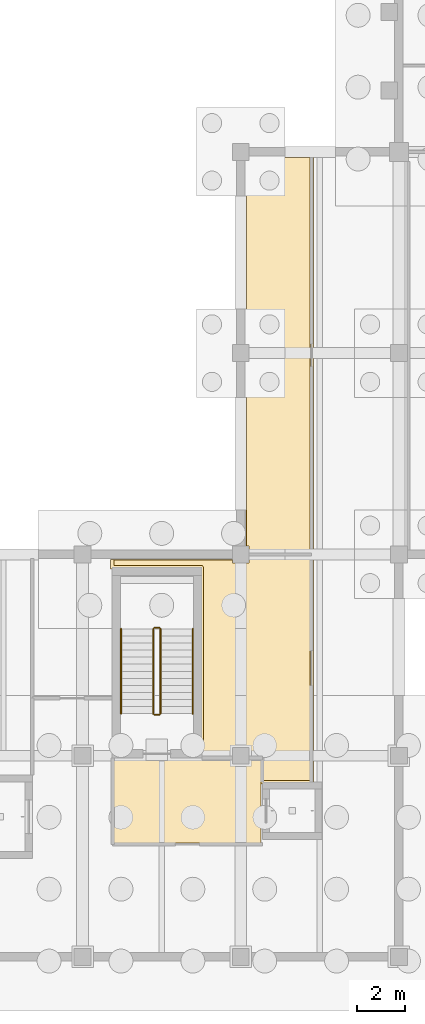
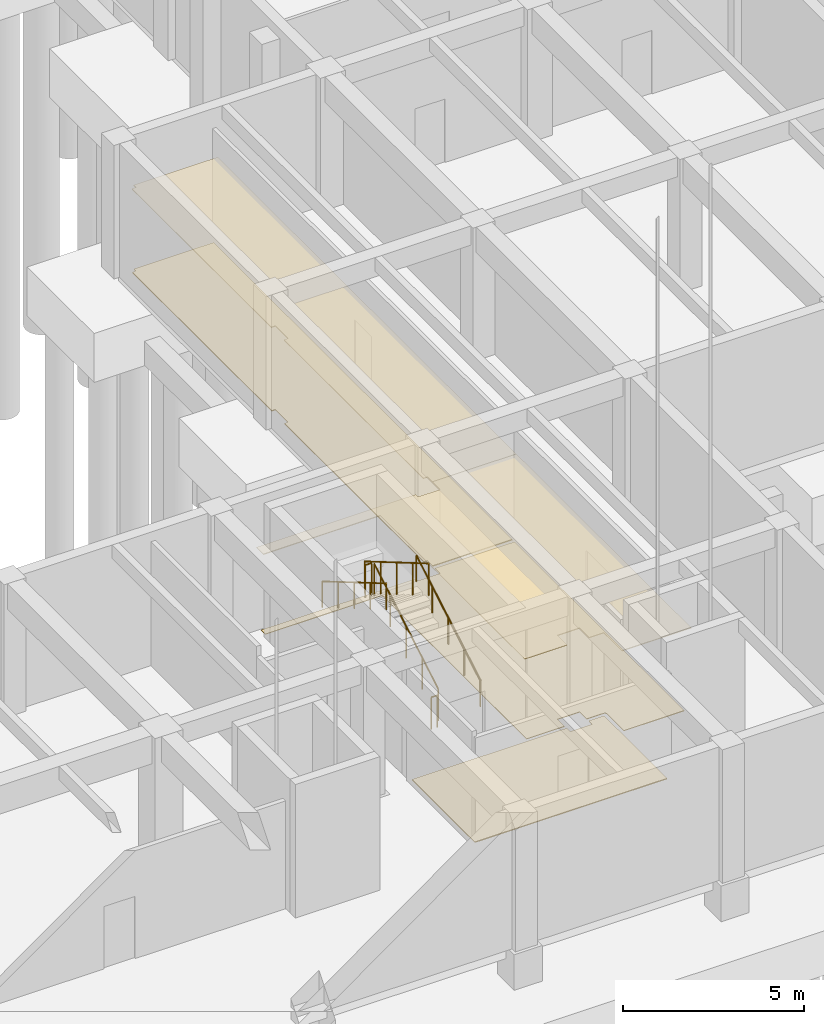
# One storey, part 43 of 44: 6 railings, 5 coverings.
"""IFC4 building model written with IfcOpenShell, lengths in metres."""

from ifc_helpers import new_model, si_unit, direction, frame, origin, origin_2d, place, context, subcontext, project, spatial, polyline, circle, outline, extrude, material, layer, layer_set, type_object, element, save


model = new_model("IFC4")

# Units and contexts
model_context = context("Model", 3, precision=1e-05, world=origin(), true_north=direction((0.0, 1.0)))
body_context = subcontext(model_context, "Body", "Model", "MODEL_VIEW")
ifc_project = project(units=[si_unit("LENGTHUNIT", "METRE"), si_unit("AREAUNIT", "SQUARE_METRE"), si_unit("VOLUMEUNIT", "CUBIC_METRE"), si_unit("PLANEANGLEUNIT", "RADIAN"), si_unit("MASSUNIT", "GRAM", prefix="KILO")], contexts=[model_context])

# Site, building, storey
site_placement = place(None, origin())
site = spatial("IfcSite", under=ifc_project, at=site_placement, CompositionType="ELEMENT")
building_placement = place(site_placement, origin())
building = spatial("IfcBuilding", under=site, at=building_placement, Name="Kolvaren Faculty of Natural Sciences", CompositionType="ELEMENT")
storey_placement = place(building_placement, frame((0.0, 0.0, -4.5)))
storey = spatial("IfcBuildingStorey", under=building, at=storey_placement, Name="B01", CompositionType="ELEMENT", Elevation=-4.5)

# Coverings
ifc_material_1 = material(Name="Perforated mineral-fibre acoustic suspended ceiling tile")
ifc_layer_1 = layer(ifc_material_1, 0.02490234375)
ifc_layer_set_1 = layer_set([ifc_layer_1], Name="Perforated mineral-fibre acoustic suspended ceiling tile")
covering_type_1 = type_object("IfcCoveringType", Name="AcousticSuspendedCeiling_25", PredefinedType="CEILING", material=ifc_layer_set_1)
covering_1_placement = place(storey_placement, frame((0.0, 0.0, 2.824951171875)))
element("IfcCovering", 1, at=covering_1_placement, inside=storey, type_object=covering_type_1, Name="B01 Technical Workshop and Archive Store acoustic ceiling", PredefinedType="CEILING", context=body_context, shape_type="SweptSolid", body=[
    extrude(outline(polyline([(132.550048828125, 42.1201171875), (132.550048828125, 42.550048828125), (132.419921875, 42.550048828125), (132.419921875, 50.25), (132.550048828125, 50.25), (132.550048828125, 50.949951171875), (132.419921875, 50.949951171875), (132.419921875, 58.64990234375), (132.550048828125, 58.64990234375), (132.550048828125, 58.780029296875), (135.22998046875, 58.780029296875), (135.22998046875, 42.1201171875), (132.550048828125, 42.1201171875)])), origin(), (0.0, 0.0, 1.0), 0.025146484375),
])
covering_2_placement = place(storey_placement, frame((0.0, 0.0, 2.824951171875)))
element("IfcCovering", 2, at=covering_2_placement, inside=storey, type_object=covering_type_1, Name="B01 B01 Interdisciplinary Research Laboratory 27 acoustic ceiling", PredefinedType="CEILING", context=body_context, shape_type="SweptSolid", body=[
    extrude(outline(polyline([(135.22998046875, 32.6201171875), (133.02001953125, 32.6201171875), (133.02001953125, 33.6201171875), (132.550048828125, 33.6201171875), (132.550048828125, 34.14990234375), (131.85009765625, 34.14990234375), (131.85009765625, 33.6201171875), (130.4951171875, 33.6201171875), (130.4951171875, 41.594970703125), (126.77001953125, 41.594970703125), (126.77001953125, 41.97998046875), (131.85009765625, 41.97998046875), (131.85009765625, 41.85009765625), (132.550048828125, 41.85009765625), (132.550048828125, 42.280029296875), (135.22998046875, 42.280029296875), (135.22998046875, 32.6201171875)])), origin(), (0.0, 0.0, 1.0), 0.025146484375),
])
ifc_material_2 = material(Name="Seamless chemical-resistant laboratory epoxy resin flooring")
ifc_layer_2 = layer(ifc_material_2, 0.02001953125)
ifc_layer_set_2 = layer_set([ifc_layer_2], Name="Seamless chemical-resistant laboratory epoxy resin flooring")
covering_type_2 = type_object("IfcCoveringType", Name="LabEpoxyFloorFinish_20", PredefinedType="FLOORING", material=ifc_layer_set_2)
covering_3_placement = place(storey_placement, origin())
element("IfcCovering", 3, at=covering_3_placement, inside=storey, type_object=covering_type_2, Name="B01 B01 Interdisciplinary Research Laboratory 27 floor finish", PredefinedType="FLOORING", context=body_context, shape_type="SweptSolid", body=[
    extrude(outline(polyline([(135.090087890625, 42.139892578125), (135.090087890625, 32.760009765625), (133.159912109375, 32.760009765625), (133.159912109375, 33.699951171875), (133.15966796875, 33.705810546875), (133.15869140625, 33.711669921875), (133.157470703125, 33.71728515625), (133.155517578125, 33.722900390625), (133.15283203125, 33.728271484375), (133.14990234375, 33.7333984375), (133.146484375, 33.738037109375), (133.142333984375, 33.742431640625), (133.13818359375, 33.746337890625), (133.13330078125, 33.75), (133.12841796875, 33.7529296875), (133.123046875, 33.75537109375), (133.117431640625, 33.75732421875), (133.11181640625, 33.7587890625), (133.10595703125, 33.759765625), (133.10009765625, 33.760009765625), (132.550048828125, 33.760009765625), (132.550048828125, 34.14990234375), (131.85009765625, 34.14990234375), (131.85009765625, 33.760009765625), (130.635009765625, 33.760009765625), (130.635009765625, 41.675048828125), (130.634765625, 41.680908203125), (130.6337890625, 41.686767578125), (130.63232421875, 41.6923828125), (130.63037109375, 41.697998046875), (130.6279296875, 41.703369140625), (130.625, 41.708251953125), (130.621337890625, 41.713134765625), (130.617431640625, 41.71728515625), (130.613037109375, 41.721435546875), (130.6083984375, 41.724853515625), (130.603271484375, 41.727783203125), (130.597900390625, 41.73046875), (130.59228515625, 41.732421875), (130.586669921875, 41.73388671875), (130.580810546875, 41.734619140625), (130.574951171875, 41.735107421875), (126.909912109375, 41.735107421875), (126.909912109375, 41.965087890625), (131.85009765625, 41.965087890625), (131.85009765625, 41.85009765625), (132.550048828125, 41.85009765625), (132.550048828125, 42.139892578125), (135.090087890625, 42.139892578125)])), origin(), (0.0, 0.0, 1.0), 0.02001953125),
])

# Railings
ifc_material_3 = material(Name="Structural steel EN 10210-1 S355J2H", Category="steel")
ifc_layer_3 = layer(ifc_material_3, 0.048095703125)
ifc_layer_set_3 = layer_set([ifc_layer_3], Name="Structural steel EN 10210-1 S355J2H")
railing_type_1 = type_object("IfcRailingType", Name="StairPitchHandrail_920", PredefinedType="HANDRAIL", material=ifc_layer_set_3)
railing_1_placement = place(storey_placement, frame((130.199951171875, 35.550048828125, 0.173095703125)))
element("IfcRailing", 4, at=railing_1_placement, inside=storey, type_object=railing_type_1, Name="B01 ST-3 stair handrail 1", PredefinedType="HANDRAIL", context=body_context, shape_type="SweptSolid", body=[
    extrude(circle(Radius=0.02392578125, at=origin_2d()), frame((0.0, 0.0, 0.8759765625), z_axis=(0.0, 0.862516251723, 0.506029362304), x_axis=(-1.0, 0.0, 0.0)), (0.0, 0.0, 1.0), 4.104248046875),
    extrude(circle(Radius=0.02099609375, at=origin_2d()), origin(), (0.0, 0.0, 1.0), 0.851806640625),
    extrude(circle(Radius=0.02099609375, at=origin_2d()), frame((0.0, 0.885009765625, 0.519287109375)), (0.0, 0.0, 1.0), 0.851806640625),
    extrude(circle(Radius=0.02099609375, at=origin_2d()), frame((0.0, 1.77001953125, 1.03857421875)), (0.0, 0.0, 1.0), 0.851806640625),
    extrude(circle(Radius=0.02099609375, at=origin_2d()), frame((0.0, 2.655029296875, 1.5576171875)), (0.0, 0.0, 1.0), 0.851806640625),
    extrude(circle(Radius=0.02099609375, at=origin_2d()), frame((0.0, 3.5400390625, 2.076904296875)), (0.0, 0.0, 1.0), 0.851806640625),
])
railing_2_placement = place(storey_placement, frame((127.199951171875, 39.090087890625, 2.423095703125)))
element("IfcRailing", 5, at=railing_2_placement, inside=storey, type_object=railing_type_1, Name="B01 ST-3 stair handrail 2", PredefinedType="HANDRAIL", context=body_context, shape_type="SweptSolid", body=[
    extrude(circle(Radius=0.02392578125, at=origin_2d()), frame((0.0, 0.0, 0.8759765625), z_axis=(0.0, -0.862516251723, 0.506029362304), x_axis=(1.0, 0.0, 0.0)), (0.0, 0.0, 1.0), 4.104248046875),
    extrude(circle(Radius=0.02099609375, at=origin_2d()), origin(), (0.0, 0.0, 1.0), 0.851806640625),
    extrude(circle(Radius=0.02099609375, at=origin_2d()), frame((0.0, -0.885009765625, 0.519287109375)), (0.0, 0.0, 1.0), 0.851806640625),
    extrude(circle(Radius=0.02099609375, at=origin_2d()), frame((0.0, -1.77001953125, 1.03857421875)), (0.0, 0.0, 1.0), 0.851806640625),
    extrude(circle(Radius=0.02099609375, at=origin_2d()), frame((0.0, -2.655029296875, 1.5576171875)), (0.0, 0.0, 1.0), 0.851806640625),
    extrude(circle(Radius=0.02099609375, at=origin_2d()), frame((0.0, -3.5400390625, 2.076904296875)), (0.0, 0.0, 1.0), 0.851806640625),
])
ifc_layer_4 = layer(ifc_material_3, 0.048095703125)
ifc_layer_set_4 = layer_set([ifc_layer_4], Name="Structural steel EN 10210-1 S355J2H")
railing_type_2 = type_object("IfcRailingType", Name="StairWellGuard_1100", PredefinedType="BALUSTRADE", material=ifc_layer_set_4)
railing_3_placement = place(storey_placement, frame((128.85009765625, 35.550048828125, 0.173095703125)))
element("IfcRailing", 6, at=railing_3_placement, inside=storey, type_object=railing_type_2, Name="B01 ST-3 stair guard 1", PredefinedType="BALUSTRADE", context=body_context, shape_type="SweptSolid", body=[
    extrude(circle(Radius=0.02392578125, at=origin_2d()), frame((0.0, 0.0, 1.076171875), z_axis=(0.0, 0.862516251723, 0.506029362304), x_axis=(-1.0, 0.0, 0.0)), (0.0, 0.0, 1.0), 4.104248046875),
    extrude(circle(Radius=0.02099609375, at=origin_2d()), origin(), (0.0, 0.0, 1.0), 1.052001953125),
    extrude(circle(Radius=0.02099609375, at=origin_2d()), frame((0.0, 0.885009765625, 0.519287109375)), (0.0, 0.0, 1.0), 1.052001953125),
    extrude(circle(Radius=0.02099609375, at=origin_2d()), frame((0.0, 1.77001953125, 1.03857421875)), (0.0, 0.0, 1.0), 1.052001953125),
    extrude(circle(Radius=0.02099609375, at=origin_2d()), frame((0.0, 2.655029296875, 1.5576171875)), (0.0, 0.0, 1.0), 1.052001953125),
    extrude(circle(Radius=0.02099609375, at=origin_2d()), frame((0.0, 3.5400390625, 2.076904296875)), (0.0, 0.0, 1.0), 1.052001953125),
])
railing_4_placement = place(storey_placement, frame((128.800048828125, 39.139892578125, 2.25)))
element("IfcRailing", 7, at=railing_4_placement, inside=storey, type_object=railing_type_2, Name="B01 ST-3 stair guard 2", PredefinedType="BALUSTRADE", context=body_context, shape_type="SweptSolid", body=[
    extrude(circle(Radius=0.02392578125, at=origin_2d()), frame((0.0, 0.0, 1.076171875), z_axis=(-1.0, 0.0, 0.0), x_axis=(0.0, -1.0, 0.0)), (0.0, 0.0, 1.0), 0.199951171875),
    extrude(circle(Radius=0.02099609375, at=origin_2d()), origin(), (0.0, 0.0, 1.0), 1.052001953125),
    extrude(circle(Radius=0.02099609375, at=origin_2d()), frame((-0.199951171875, 0.0, 0.0)), (0.0, 0.0, 1.0), 1.052001953125),
])
railing_5_placement = place(storey_placement, frame((128.550048828125, 39.090087890625, 2.423095703125)))
element("IfcRailing", 8, at=railing_5_placement, inside=storey, type_object=railing_type_2, Name="B01 ST-3 stair guard 3", PredefinedType="BALUSTRADE", context=body_context, shape_type="SweptSolid", body=[
    extrude(circle(Radius=0.02392578125, at=origin_2d()), frame((0.0, 0.0, 1.076171875), z_axis=(0.0, -0.862516251723, 0.506029362304), x_axis=(1.0, 0.0, 0.0)), (0.0, 0.0, 1.0), 4.104248046875),
    extrude(circle(Radius=0.02099609375, at=origin_2d()), origin(), (0.0, 0.0, 1.0), 1.052001953125),
    extrude(circle(Radius=0.02099609375, at=origin_2d()), frame((0.0, -0.885009765625, 0.519287109375)), (0.0, 0.0, 1.0), 1.052001953125),
    extrude(circle(Radius=0.02099609375, at=origin_2d()), frame((0.0, -1.77001953125, 1.03857421875)), (0.0, 0.0, 1.0), 1.052001953125),
    extrude(circle(Radius=0.02099609375, at=origin_2d()), frame((0.0, -2.655029296875, 1.5576171875)), (0.0, 0.0, 1.0), 1.052001953125),
    extrude(circle(Radius=0.02099609375, at=origin_2d()), frame((0.0, -3.5400390625, 2.076904296875)), (0.0, 0.0, 1.0), 1.052001953125),
])
railing_6_placement = place(storey_placement, frame((128.800048828125, 35.5, 0.0)))
element("IfcRailing", 9, at=railing_6_placement, inside=storey, type_object=railing_type_2, Name="B01 ST-3 stair guard 4", PredefinedType="BALUSTRADE", context=body_context, shape_type="SweptSolid", body=[
    extrude(circle(Radius=0.02392578125, at=origin_2d()), frame((0.0, 0.0, 1.076171875), z_axis=(-1.0, 0.0, 0.0), x_axis=(0.0, -1.0, 0.0)), (0.0, 0.0, 1.0), 0.199951171875),
    extrude(circle(Radius=0.02099609375, at=origin_2d()), origin(), (0.0, 0.0, 1.0), 1.052001953125),
    extrude(circle(Radius=0.02099609375, at=origin_2d()), frame((-0.199951171875, 0.0, 0.0)), (0.0, 0.0, 1.0), 1.052001953125),
])

# Coverings
ifc_material_4 = material(Name="Polished Uruguayan grey granite terrazzo flooring", Category="masonry")
ifc_layer_5 = layer(ifc_material_4, 0.030029296875)
ifc_layer_set_5 = layer_set([ifc_layer_5], Name="Polished Uruguayan grey granite terrazzo flooring")
covering_type_3 = type_object("IfcCoveringType", Name="TerrazzoFloorFinish_30", PredefinedType="FLOORING", material=ifc_layer_set_5)
covering_4_placement = place(storey_placement, origin())
element("IfcCovering", 10, at=covering_4_placement, inside=storey, type_object=covering_type_3, Name="B01 B01 Protected Stair Lobby ST-3 floor finish", PredefinedType="FLOORING", context=body_context, shape_type="SweptSolid", body=[
    extrude(outline(polyline([(131.85009765625, 33.639892578125), (131.85009765625, 33.449951171875), (132.550048828125, 33.449951171875), (132.550048828125, 33.639892578125), (133.0400390625, 33.639892578125), (133.0400390625, 30.159912109375), (126.909912109375, 30.159912109375), (126.909912109375, 33.639892578125), (131.85009765625, 33.639892578125)])), origin(), (0.0, 0.0, 1.0), 0.030029296875),
])
covering_5_placement = place(storey_placement, origin())
element("IfcCovering", 11, at=covering_5_placement, inside=storey, type_object=covering_type_3, Name="B01 Technical Workshop and Archive Store floor finish", PredefinedType="FLOORING", context=body_context, shape_type="SweptSolid", body=[
    extrude(outline(polyline([(132.43505859375, 50.25), (132.550048828125, 50.25), (132.550048828125, 50.949951171875), (132.43505859375, 50.949951171875), (132.43505859375, 58.64990234375), (132.550048828125, 58.64990234375), (132.550048828125, 58.764892578125), (135.090087890625, 58.764892578125), (135.090087890625, 42.260009765625), (132.550048828125, 42.260009765625), (132.550048828125, 42.550048828125), (132.43505859375, 42.550048828125), (132.43505859375, 50.25)])), origin(), (0.0, 0.0, 1.0), 0.030029296875),
])

save(model, "model.ifc")
